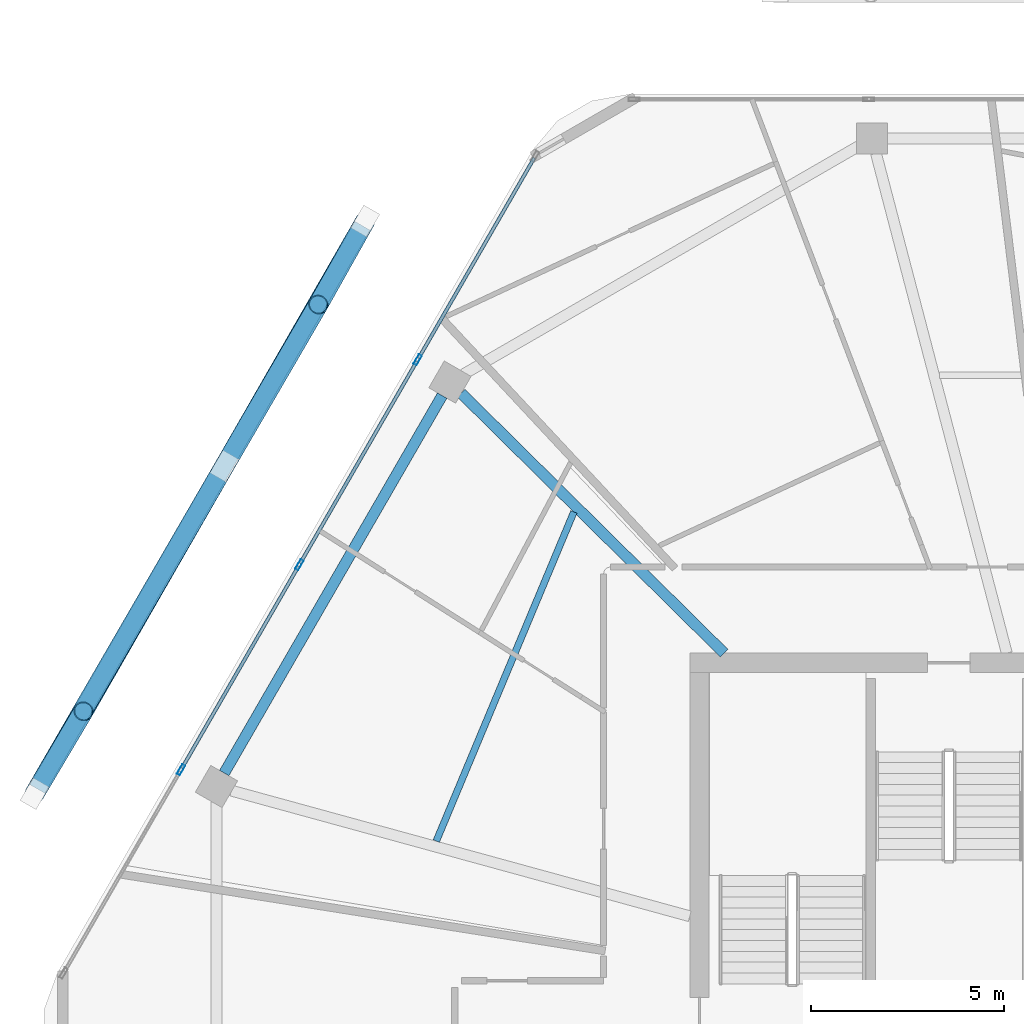
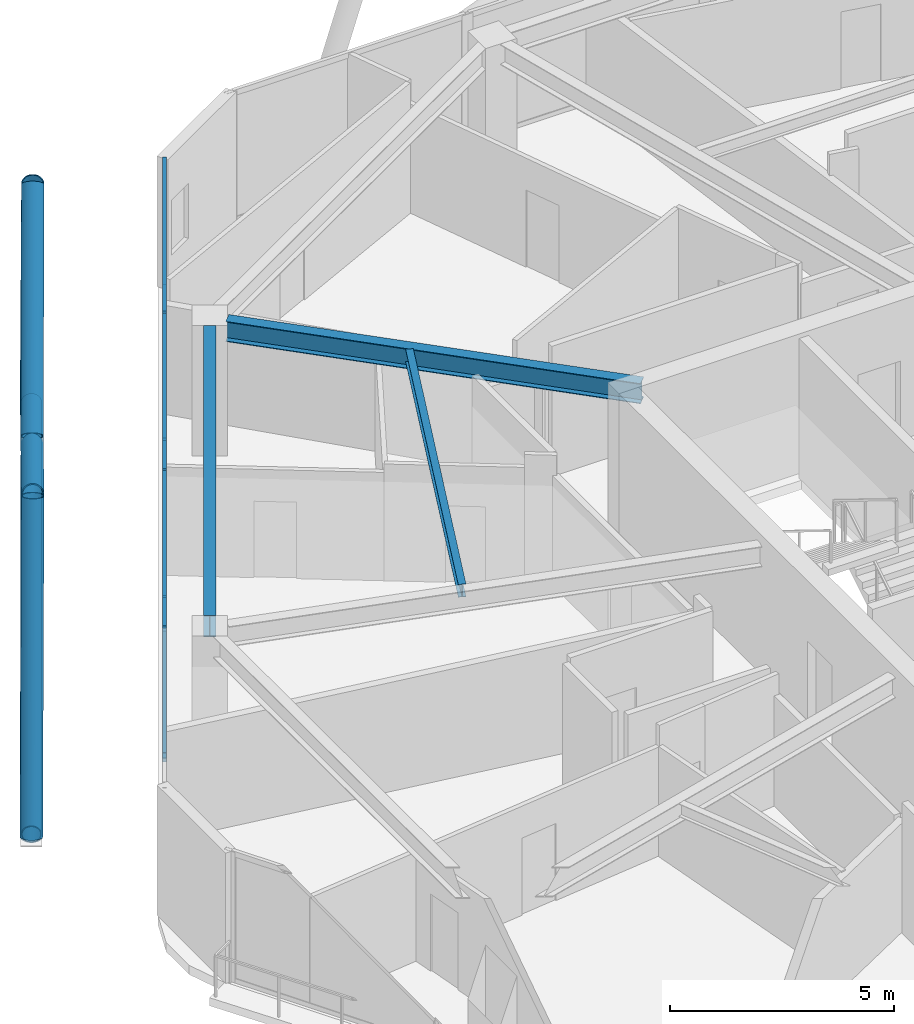
# One storey, part 9 of 23: 15 members, 3 beams, 1 element without a shape of its own.
"""IFC4 building model written with IfcOpenShell, lengths in metres."""

from ifc_helpers import new_model, si_unit, direction, frame, origin, origin_2d, place, context, subcontext, project, spatial, hollow_rectangle, hollow_circle, i_section, extrude, material, material_profile, profile_set, type_object, element, aggregate, save


model = new_model("IFC4")

# Units and contexts
model_context = context("Model", 3, precision=1e-05, world=origin(), true_north=direction((0.0, 1.0)))
body_context = subcontext(model_context, "Body", "Model", "MODEL_VIEW")
ifc_project = project(units=[si_unit("LENGTHUNIT", "METRE"), si_unit("AREAUNIT", "SQUARE_METRE"), si_unit("VOLUMEUNIT", "CUBIC_METRE"), si_unit("PLANEANGLEUNIT", "RADIAN"), si_unit("MASSUNIT", "GRAM", prefix="KILO")], contexts=[model_context])

# Site, building, storey
site_placement = place(None, origin())
site = spatial("IfcSite", under=ifc_project, at=site_placement, CompositionType="ELEMENT")
building_placement = place(site_placement, origin())
building = spatial("IfcBuilding", under=site, at=building_placement, Name="Zuhravey Tower", CompositionType="ELEMENT")
storey_placement = place(building_placement, frame((0.0, 0.0, 331.0)))
storey = spatial("IfcBuildingStorey", under=building, at=storey_placement, Name="L84", CompositionType="ELEMENT", Elevation=331.0)

# Curtain wall, members
ifc_material_1 = material(Name="Thermally broken anodised aluminium", Category="aluminium")
curtain_wall_type = type_object("IfcCurtainWallType", Name="Zone 3-4 High-Rise Curtain Wall CW4", PredefinedType="NOTDEFINED", material=ifc_material_1)
curtain_wall_placement = place(storey_placement, origin())
curtain_wall = element("IfcCurtainWall", 1, at=curtain_wall_placement, inside=storey, type_object=curtain_wall_type, Name="L84 CW4 CW-L84-F3-1", PredefinedType="NOTDEFINED")
ifc_material_2 = material(Name="Anodised aluminium", Category="aluminium")
ifc_material_profile_1 = material_profile(ifc_material_2, hollow_rectangle(XDim=0.090087890625, YDim=0.284912109375, WallThickness=0.0048828125, at=origin_2d()), Name="ALU-RHS-90x285x5")
ifc_profile_set_1 = profile_set([ifc_material_profile_1], Name="Anodised aluminium")
member_type_1 = type_object("IfcMemberType", Name="Curtain-Wall Mullion 90x180", PredefinedType="MULLION", material=ifc_profile_set_1)
member_1_placement = place(storey_placement, frame((12.09130859375, 38.7373046875, 0.0), z_axis=(0.0, 0.0, 1.0), x_axis=(-0.866025511541, 0.49999981336, 0.0)))
member_1 = element("IfcMember", 2, at=member_1_placement, type_object=member_type_1, Name="CW4 mullion 2", PredefinedType="MULLION", context=body_context, shape_type="SweptSolid", body=[
    extrude(hollow_rectangle(XDim=0.090087890625, YDim=0.284912109375, WallThickness=0.0048828125, at=origin_2d()), origin(), (0.0, 0.0, 1.0), 3.550048828125),
])
member_2_placement = place(storey_placement, frame((15.1513671875, 44.037109375, 0.0), z_axis=(0.0, 0.0, 1.0), x_axis=(-0.866025511541, 0.49999981336, 0.0)))
member_2 = element("IfcMember", 3, at=member_2_placement, type_object=member_type_1, Name="CW4 mullion 3", PredefinedType="MULLION", context=body_context, shape_type="SweptSolid", body=[
    extrude(hollow_rectangle(XDim=0.090087890625, YDim=0.284912109375, WallThickness=0.0048828125, at=origin_2d()), origin(), (0.0, 0.0, 1.0), 3.550048828125),
])
member_3_placement = place(storey_placement, frame((18.211181640625, 49.3369140625, 0.0), z_axis=(0.0, 0.0, 1.0), x_axis=(-0.866025511541, 0.49999981336, 0.0)))
member_3 = element("IfcMember", 4, at=member_3_placement, type_object=member_type_1, Name="CW4 mullion 4", PredefinedType="MULLION", context=body_context, shape_type="SweptSolid", body=[
    extrude(hollow_rectangle(XDim=0.090087890625, YDim=0.284912109375, WallThickness=0.0048828125, at=origin_2d()), origin(), (0.0, 0.0, 1.0), 3.550048828125),
])
ifc_material_profile_2 = material_profile(ifc_material_2, hollow_rectangle(XDim=0.090087890625, YDim=0.14990234375, WallThickness=0.0048828125, at=origin_2d()), Name="ALU-RHS-90x150x5")
ifc_profile_set_2 = profile_set([ifc_material_profile_2], Name="Anodised aluminium")
member_type_2 = type_object("IfcMemberType", Name="Curtain-Wall Transom 90x150", PredefinedType="USERDEFINED", material=ifc_profile_set_2)
member_4_placement = place(storey_placement, frame((12.114013671875, 38.7763671875, 0.044921875), z_axis=(0.499988837749, 0.866031848217, 0.0), x_axis=(-0.866031848217, 0.499988837749, 0.0)))
member_4 = element("IfcMember", 5, at=member_4_placement, type_object=member_type_2, Name="CW4 transom 2.1", ObjectType="TRANSOM", PredefinedType="USERDEFINED", context=body_context, shape_type="SweptSolid", body=[
    extrude(hollow_rectangle(XDim=0.090087890625, YDim=0.14990234375, WallThickness=0.0048828125, at=origin_2d()), origin(), (0.0, 0.0, 1.0), 6.029541015625),
])
member_5_placement = place(storey_placement, frame((12.114013671875, 38.7763671875, 3.5048828125), z_axis=(0.499988837749, 0.866031848217, 0.0), x_axis=(-0.866031848217, 0.499988837749, 0.0)))
member_5 = element("IfcMember", 6, at=member_5_placement, type_object=member_type_2, Name="CW4 transom 2.2", ObjectType="TRANSOM", PredefinedType="USERDEFINED", context=body_context, shape_type="SweptSolid", body=[
    extrude(hollow_rectangle(XDim=0.090087890625, YDim=0.14990234375, WallThickness=0.0048828125, at=origin_2d()), origin(), (0.0, 0.0, 1.0), 6.029541015625),
])
member_6_placement = place(storey_placement, frame((15.173828125, 44.075927734375, 0.044921875), z_axis=(0.499971305196, 0.866041970103, 0.0), x_axis=(-0.866041970103, 0.499971305196, 0.0)))
member_6 = element("IfcMember", 7, at=member_6_placement, type_object=member_type_2, Name="CW4 transom 3.1", ObjectType="TRANSOM", PredefinedType="USERDEFINED", context=body_context, shape_type="SweptSolid", body=[
    extrude(hollow_rectangle(XDim=0.090087890625, YDim=0.14990234375, WallThickness=0.0048828125, at=origin_2d()), origin(), (0.0, 0.0, 1.0), 6.029541015625),
])
member_7_placement = place(storey_placement, frame((15.173828125, 44.075927734375, 3.5048828125), z_axis=(0.499971305196, 0.866041970103, 0.0), x_axis=(-0.866041970103, 0.499971305196, 0.0)))
member_7 = element("IfcMember", 8, at=member_7_placement, type_object=member_type_2, Name="CW4 transom 3.2", ObjectType="TRANSOM", PredefinedType="USERDEFINED", context=body_context, shape_type="SweptSolid", body=[
    extrude(hollow_rectangle(XDim=0.090087890625, YDim=0.14990234375, WallThickness=0.0048828125, at=origin_2d()), origin(), (0.0, 0.0, 1.0), 6.029541015625),
])
member_8_placement = place(storey_placement, frame((18.233642578125, 49.375732421875, 0.044921875), z_axis=(0.499982594807, 0.866035452444, 0.0), x_axis=(-0.866035452444, 0.499982594807, 0.0)))
member_8 = element("IfcMember", 9, at=member_8_placement, type_object=member_type_2, Name="CW4 transom 4.1", ObjectType="TRANSOM", PredefinedType="USERDEFINED", context=body_context, shape_type="SweptSolid", body=[
    extrude(hollow_rectangle(XDim=0.090087890625, YDim=0.14990234375, WallThickness=0.0048828125, at=origin_2d()), origin(), (0.0, 0.0, 1.0), 5.984619140625),
])
member_9_placement = place(storey_placement, frame((18.233642578125, 49.375732421875, 3.5048828125), z_axis=(0.499982594807, 0.866035452444, 0.0), x_axis=(-0.866035452444, 0.499982594807, 0.0)))
member_9 = element("IfcMember", 10, at=member_9_placement, type_object=member_type_2, Name="CW4 transom 4.2", ObjectType="TRANSOM", PredefinedType="USERDEFINED", context=body_context, shape_type="SweptSolid", body=[
    extrude(hollow_rectangle(XDim=0.090087890625, YDim=0.14990234375, WallThickness=0.0048828125, at=origin_2d()), origin(), (0.0, 0.0, 1.0), 5.984619140625),
])
aggregate(curtain_wall, [member_1, member_2, member_3, member_4, member_5, member_6, member_7, member_8, member_9])

# Members
ifc_material_3 = material(Name="Steel SM355", Category="steel")
ifc_material_profile_3 = material_profile(ifc_material_3, hollow_circle(Radius=0.228515625, WallThickness=0.02197265625, at=origin_2d()), Name="CHS-457.2x22")
ifc_profile_set_3 = profile_set([ifc_material_profile_3], Name="Steel SM355")
member_type_3 = type_object("IfcMemberType", Name="Exoskeleton Ring Tie CHS457x22", PredefinedType="CHORD", material=ifc_profile_set_3)
member_10_placement = place(storey_placement, frame((16.783935546875, 52.804931640625, -0.464111328125), z_axis=(-0.499996794797, -0.866027254301, 0.0), x_axis=(0.866027254301, -0.499996794797, 0.0)))
element("IfcMember", 11, at=member_10_placement, inside=storey, type_object=member_type_3, Name="L84 Exoskeleton Face 3 Tie EXR1", PredefinedType="CHORD", context=body_context, shape_type="SweptSolid", body=[
    extrude(hollow_circle(Radius=0.228515625, WallThickness=0.02197265625, at=origin_2d()), origin(), (0.0, 0.0, 1.0), 16.81884765625),
])
ifc_material_profile_4 = material_profile(ifc_material_3, hollow_circle(Radius=0.25390625, WallThickness=0.02490234375, at=origin_2d()), Name="CHS-508.0x25")
ifc_profile_set_4 = profile_set([ifc_material_profile_4], Name="Steel SM355")
member_type_4 = type_object("IfcMemberType", Name="Exoskeleton Zone 4 Diagrid CHS508x25", PredefinedType="BRACE", material=ifc_profile_set_4)
member_11_placement = place(storey_placement, frame((16.851318359375, 52.921630859375, -0.447998046875), z_axis=(-0.151975128537, -0.270740195693, 0.950580510395), x_axis=(0.872010411555, -0.48948732582, 0.0)))
element("IfcMember", 12, at=member_11_placement, inside=storey, type_object=member_type_4, Name="L84 Face 3 Diagrid Brace 1", PredefinedType="BRACE", context=body_context, shape_type="SweptSolid", body=[
    extrude(hollow_circle(Radius=0.25390625, WallThickness=0.02490234375, at=origin_2d()), origin(), (0.0, 0.0, 1.0), 7.961669921875),
])
member_12_placement = place(storey_placement, frame((16.838623046875, 52.8994140625, -0.447998046875), z_axis=(-0.442036872245, -0.769274820729, 0.461323805768), x_axis=(0.867050506959, -0.498220250875, 0.0)))
element("IfcMember", 13, at=member_12_placement, inside=storey, type_object=member_type_4, Name="L84 Face 3 Diagrid Brace 2", PredefinedType="BRACE", context=body_context, shape_type="SweptSolid", body=[
    extrude(hollow_circle(Radius=0.25390625, WallThickness=0.02490234375, at=origin_2d()), origin(), (0.0, 0.0, 1.0), 16.4052734375),
])
member_13_placement = place(storey_placement, frame((8.30712890625, 38.12255859375, -0.447998046875), z_axis=(0.158476866011, 0.26696973597, 0.950585210812), x_axis=(-0.859906229108, 0.510452032165, 0.0)))
element("IfcMember", 14, at=member_13_placement, inside=storey, type_object=member_type_4, Name="L84 Face 3 Diagrid Brace 4", PredefinedType="BRACE", context=body_context, shape_type="SweptSolid", body=[
    extrude(hollow_circle(Radius=0.25390625, WallThickness=0.02490234375, at=origin_2d()), origin(), (0.0, 0.0, 1.0), 7.96142578125),
])
member_14_placement = place(storey_placement, frame((8.320556640625, 38.14599609375, -0.451416015625), z_axis=(0.467361193455, 0.806628500971, 0.361834183395), x_axis=(-0.865256117944, 0.501330081245, 0.0)))
element("IfcMember", 15, at=member_14_placement, inside=storey, type_object=member_type_4, Name="L84 Face 3 Split Diagrid Brace 3A", PredefinedType="BRACE", context=body_context, shape_type="SweptSolid", body=[
    extrude(hollow_circle(Radius=0.25390625, WallThickness=0.02490234375, at=origin_2d()), origin(), (0.0, 0.0, 1.0), 10.2236328125),
])
member_15_placement = place(storey_placement, frame((13.30908203125, 46.755126953125, 3.487060546875), z_axis=(0.394979807507, 0.6792137219, 0.618594917248), x_axis=(-0.864458456104, 0.502704264623, 0.0)))
element("IfcMember", 16, at=member_15_placement, inside=storey, type_object=member_type_4, Name="L84 Face 3 Split Diagrid Brace 3B", PredefinedType="BRACE", context=body_context, shape_type="SweptSolid", body=[
    extrude(hollow_circle(Radius=0.25390625, WallThickness=0.02490234375, at=origin_2d()), origin(), (0.0, 0.0, 1.0), 5.864013671875),
])

# Beams
ifc_material_profile_5 = material_profile(ifc_material_3, i_section(OverallWidth=0.280029296875, OverallDepth=0.580078125, WebThickness=0.011962890625, FlangeThickness=0.01904296875, at=origin_2d()), Name="H-580x280x12x19")
ifc_profile_set_5 = profile_set([ifc_material_profile_5], Name="Steel SM355")
beam_type_1 = type_object("IfcBeamType", Name="Perimeter Ring Beam H580x280", PredefinedType="BEAM", material=ifc_profile_set_5)
beam_1_placement = place(storey_placement, frame((18.84375, 48.41259765625, 3.260009765625), z_axis=(-0.500006198144, -0.866021825255, 0.0), x_axis=(0.866021825255, -0.500006198144, 0.0)))
element("IfcBeam", 17, at=beam_1_placement, inside=storey, type_object=beam_type_1, Name="L84 PB4 BM-L84-PB-05", PredefinedType="BEAM", context=body_context, shape_type="SweptSolid", body=[
    extrude(i_section(OverallWidth=0.280029296875, OverallDepth=0.580078125, WebThickness=0.011962890625, FlangeThickness=0.01904296875, at=origin_2d()), origin(), (0.0, 0.0, 1.0), 11.271240234375),
])
ifc_material_profile_6 = material_profile(ifc_material_3, i_section(OverallWidth=0.280029296875, OverallDepth=0.550048828125, WebThickness=0.010986328125, FlangeThickness=0.01806640625, at=origin_2d()), Name="H-550x280x11x18")
ifc_profile_set_6 = profile_set([ifc_material_profile_6], Name="Steel SM355")
beam_type_2 = type_object("IfcBeamType", Name="Radial Primary Girder H550x280", PredefinedType="BEAM", material=ifc_profile_set_6)
beam_2_placement = place(storey_placement, frame((26.134765625, 41.7529296875, 3.27490234375), z_axis=(-0.711153035666, 0.703037239314, 0.0), x_axis=(-0.703037239314, -0.711153035666, 0.0)))
element("IfcBeam", 18, at=beam_2_placement, inside=storey, type_object=beam_type_2, Name="L84 RG4 BM-L84-RAD-05", PredefinedType="BEAM", context=body_context, shape_type="SweptSolid", body=[
    extrude(i_section(OverallWidth=0.280029296875, OverallDepth=0.550048828125, WebThickness=0.010986328125, FlangeThickness=0.01806640625, at=origin_2d()), origin(), (0.0, 0.0, 1.0), 9.566162109375),
])
ifc_material_profile_7 = material_profile(ifc_material_3, i_section(OverallWidth=0.175048828125, OverallDepth=0.35009765625, WebThickness=0.007080078125, FlangeThickness=0.010986328125, at=origin_2d()), Name="H-350x175x7x11")
ifc_profile_set_7 = profile_set([ifc_material_profile_7], Name="Steel SM355")
beam_type_3 = type_object("IfcBeamType", Name="Secondary Floor Joist H350x175", PredefinedType="JOIST", material=ifc_profile_set_7)
beam_3_placement = place(storey_placement, frame((22.2509765625, 45.40478515625, 3.375), z_axis=(-0.385657891576, -0.922641853953, 0.0), x_axis=(0.922641853953, -0.385657891576, 0.0)))
element("IfcBeam", 19, at=beam_3_placement, inside=storey, type_object=beam_type_3, Name="L84 SJ3 BM-L84-SJ-05-1", PredefinedType="JOIST", context=body_context, shape_type="SweptSolid", body=[
    extrude(i_section(OverallWidth=0.175048828125, OverallDepth=0.35009765625, WebThickness=0.007080078125, FlangeThickness=0.010986328125, at=origin_2d()), origin(), (0.0, 0.0, 1.0), 9.226806640625),
])

save(model, "model.ifc")
